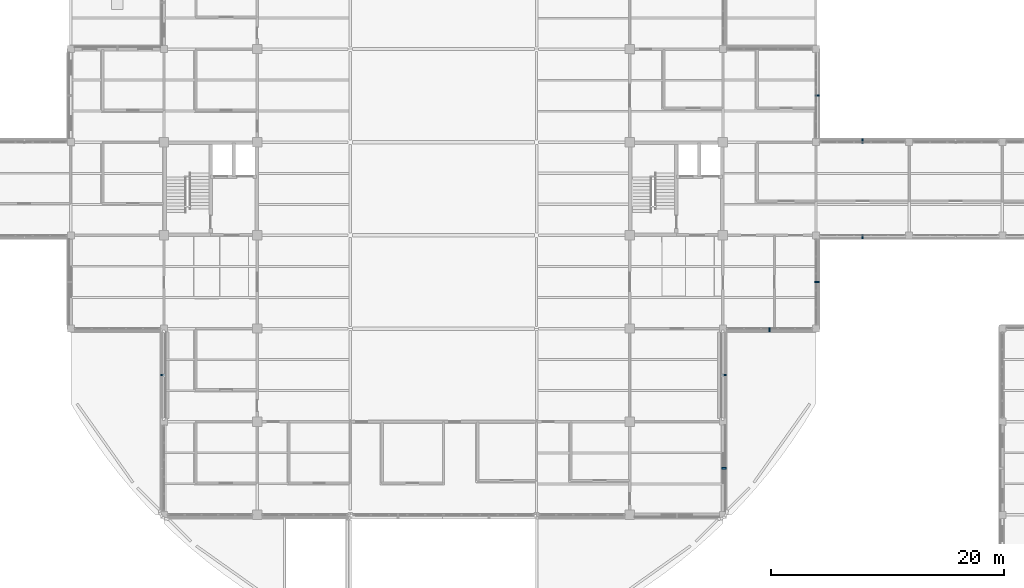
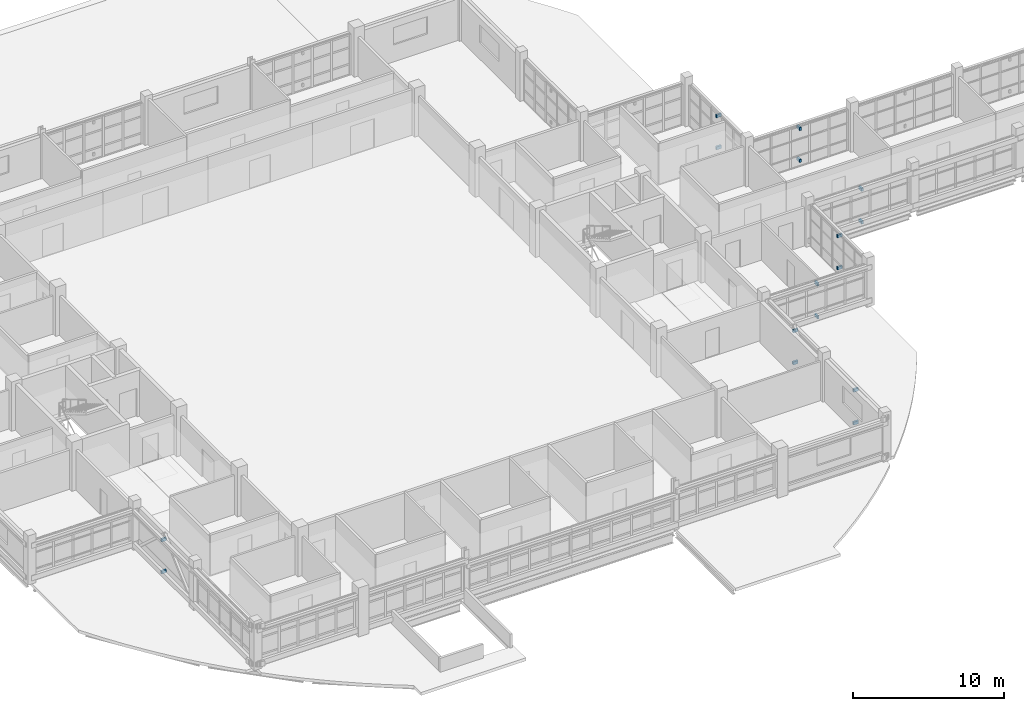
# One storey, part 108 of 126: 16 discrete accessories.
"""IFC4 building model written with IfcOpenShell, lengths in metres."""

from ifc_helpers import new_model, si_unit, derived_unit, direction, frame, origin, origin_2d, place, context, subcontext, project, spatial, rectangle, extrude, material, type_object, element, save


model = new_model("IFC4")

# Units and contexts
model_context = context("Model", 3, precision=1e-05, world=origin(), true_north=direction((0.0, 1.0)))
body_context = subcontext(model_context, "Body", "Model", "MODEL_VIEW")
ifc_project = project(units=[si_unit("LENGTHUNIT", "METRE"), si_unit("AREAUNIT", "SQUARE_METRE"), si_unit("VOLUMEUNIT", "CUBIC_METRE"), si_unit("PLANEANGLEUNIT", "RADIAN"), si_unit("MASSUNIT", "GRAM", prefix="KILO"), derived_unit("THERMALTRANSMITTANCEUNIT", [(si_unit("MASSUNIT", "GRAM", prefix="KILO"), 1), (si_unit("TIMEUNIT", "SECOND"), -3), (si_unit("THERMODYNAMICTEMPERATUREUNIT", "KELVIN"), -1)])], contexts=[model_context])

# Site, building, storey
site_placement = place(None, origin())
site = spatial("IfcSite", under=ifc_project, at=site_placement, CompositionType="ELEMENT")
building_placement = place(site_placement, origin())
building = spatial("IfcBuilding", under=site, at=building_placement, Name="Veyamyaing Civic Hall", CompositionType="ELEMENT")
storey_placement = place(building_placement, frame((0.0, 0.0, 9.89990234375)))
storey = spatial("IfcBuildingStorey", under=building, at=storey_placement, Name="L02", CompositionType="ELEMENT", Elevation=9.89990234375)

# Discrete accessories
ifc_material = material(Name="Steel S355J2", Category="steel")
discrete_accessory_type = type_object("IfcDiscreteAccessoryType", Name="BK-01", PredefinedType="BRACKET", material=ifc_material)
for number, where, z_axis, x_axis, name in (
    (1, (63.89990234375, 36.0, 2.9443359375), (0.0, 0.0, 1.0), (-1.0, 0.0, 0.0), "Sunshade anchor bracket BK-01 L02 W 9.5"),
    (2, (63.89990234375, 36.0, 0.35986328125), (0.0, 0.0, 1.0), (-1.0, 0.0, 0.0), "Lower ribbon anchor bracket BK-01 L02 W 9.5"),
    (3, (112.10009765625, 28.0, 3.00732421875), (0.0, 0.0, 1.0), (1.0, 0.0, 0.0), "Sunshade anchor bracket BK-01 L02 E 14.4"),
    (4, (112.10009765625, 28.0, 0.35986328125), (0.0, 0.0, 1.0), (1.0, 0.0, 0.0), "Lower ribbon anchor bracket BK-01 L02 E 14.4"),
    (5, (112.10009765625, 36.0, 2.93994140625), (0.0, 0.0, 1.0), (1.0, 0.0, 0.0), "Sunshade anchor bracket BK-01 L02 E 14.5"),
    (6, (112.10009765625, 36.0, 0.35986328125), (0.0, 0.0, 1.0), (1.0, 0.0, 0.0), "Lower ribbon anchor bracket BK-01 L02 E 14.5"),
    (7, (116.0, 39.89990234375, 3.00390625), (0.0, 0.0, 1.0), (0.0, -1.0, 0.0), "Sunshade anchor bracket BK-01 L02 S 15.6"),
    (8, (116.0, 39.89990234375, 0.35986328125), (0.0, 0.0, 1.0), (0.0, -1.0, 0.0), "Lower ribbon anchor bracket BK-01 L02 S 15.6"),
    (9, (120.10009765625, 44.0, 2.9443359375), (0.0, 0.0, 1.0), (1.0, 0.0, 0.0), "Sunshade anchor bracket BK-01 L02 E 15.6"),
    (10, (120.10009765625, 44.0, 0.35986328125), (0.0, 0.0, 1.0), (1.0, 0.0, 0.0), "Lower ribbon anchor bracket BK-01 L02 E 15.6"),
    (11, (120.10009765625, 60.0, 2.93994140625), (0.0, 0.0, 1.0), (1.0, 0.0, 0.0), "Sunshade anchor bracket BK-01 L02 E 15.8"),
    (12, (120.10009765625, 60.0, 0.35986328125), (0.0, 0.0, 1.0), (1.0, 0.0, 0.0), "Lower ribbon anchor bracket BK-01 L02 E 15.8"),
    (13, (124.0, 47.89990234375, 3.00732421875), (0.0, 0.0, 1.0), (0.0, -1.0, 0.0), "Sunshade anchor bracket BK-01 L02 S 16.7"),
    (14, (124.0, 47.89990234375, 0.35986328125), (0.0, 0.0, 1.0), (0.0, -1.0, 0.0), "Lower ribbon anchor bracket BK-01 L02 S 16.7"),
    (15, (124.0, 56.10009765625, 2.93994140625), (0.0, 0.0, 1.0), (0.0, 1.0, 0.0), "Sunshade anchor bracket BK-01 L02 N 16.7"),
    (16, (124.0, 56.10009765625, 0.35986328125), (0.0, 0.0, 1.0), (0.0, 1.0, 0.0), "Lower ribbon anchor bracket BK-01 L02 N 16.7"),
):
    element("IfcDiscreteAccessory", number, at=place(storey_placement, frame(where, z_axis=z_axis, x_axis=x_axis)), inside=storey, type_object=discrete_accessory_type, Name=name, PredefinedType="BRACKET", context=body_context, shape_type="SweptSolid", body=[
        extrude(rectangle(XDim=0.3798828125, YDim=0.139892578125, at=origin_2d()), origin(), (0.0, 0.0, 1.0), 0.239990234375),
    ])

save(model, "model.ifc")
